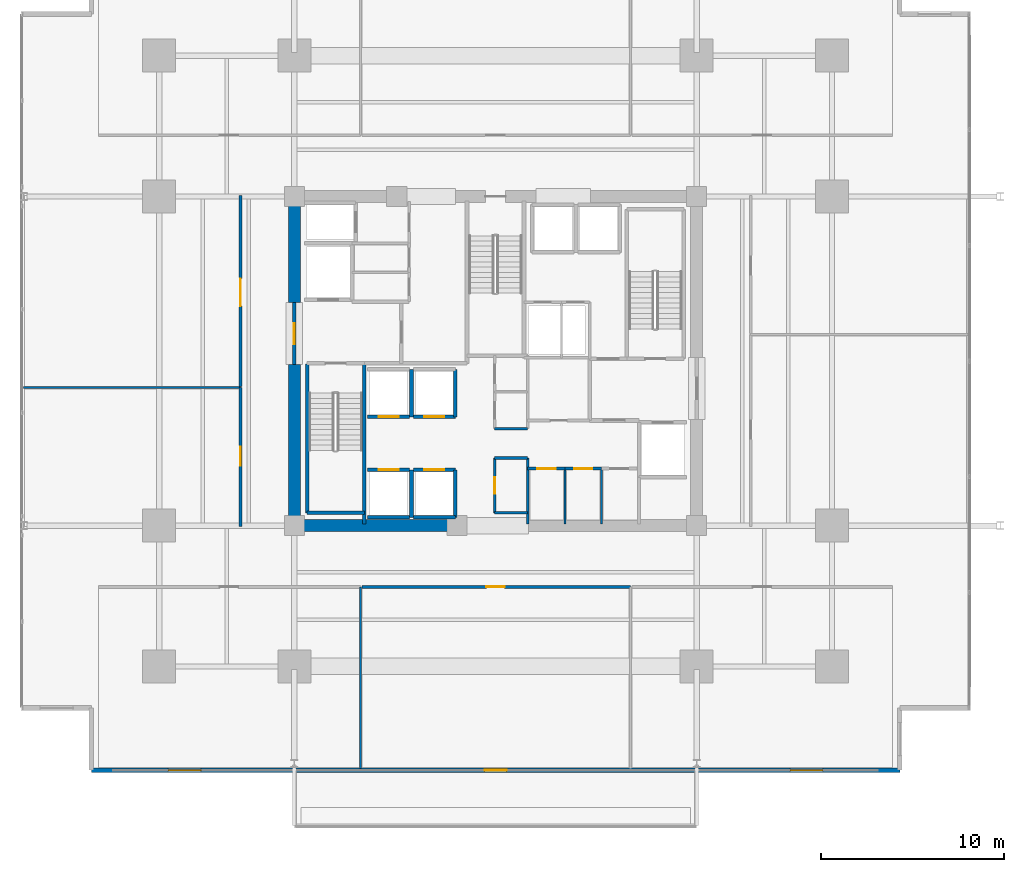
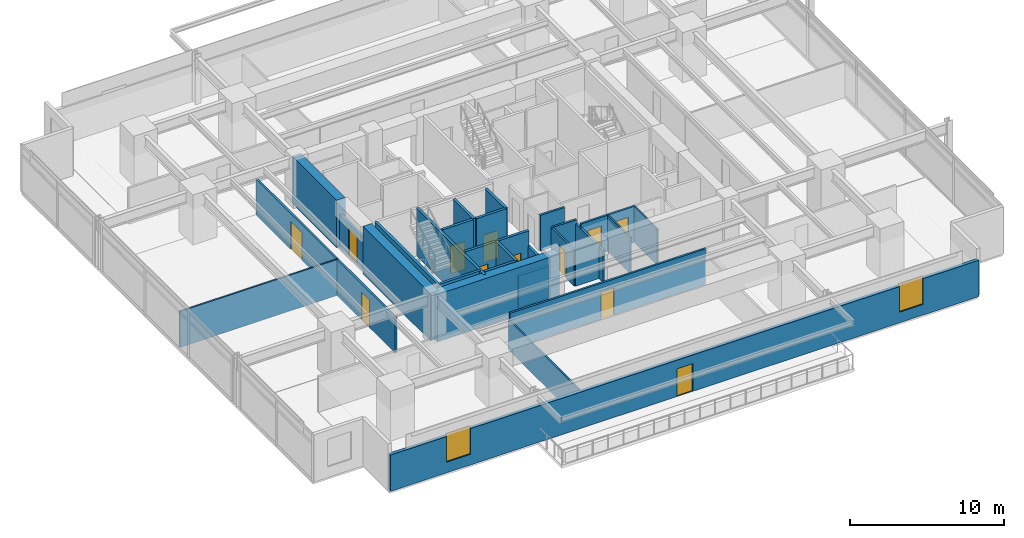
# One storey, part 15 of 23: 32 walls, 12 doors, 2 windows, 14 openings.
"""IFC4 building model written with IfcOpenShell, lengths in metres."""

import ifcopenshell
import ifcopenshell.guid

model = None  # the IFC model being written
_history = None  # IfcOwnerHistory: only IFC2X3 demands one
_inside = {}  # id of a spatial element -> (the spatial element, [elements in it])
_under = {}  # id of a project, library or spatial element -> (it, [spatial elements below it])
_declared = {}  # id of a project -> (the project, [libraries it declares])
_typed = {}  # id of a type object -> (the type object, [elements of that type])
_made_of = {}  # id of a material, layer set ... -> (it, [elements and type objects made of it])


def new_model(schema):
    """Start an empty IFC model of exactly this schema.

    Asked for "IFC4X3", IfcOpenShell would pick the latest addendum, in which some entities
    have other attributes; the version numbers below select the first issue.
    IFC2X3 requires an IfcOwnerHistory on every rooted entity: one is made here for all.
    """
    global model, _history
    if schema == "IFC4X3":
        model = ifcopenshell.file(schema_version=(4, 3, 0, 0))
    else:
        model = ifcopenshell.file(schema=schema)
    _inside.clear()
    _under.clear()
    _declared.clear()
    _typed.clear()
    _made_of.clear()
    _history = None
    if model.schema == "IFC2X3":
        org = make("IfcOrganization", Name="unknown")
        user = make(
            "IfcPersonAndOrganization",
            ThePerson=make("IfcPerson", FamilyName="unknown"),
            TheOrganization=org,
        )
        app = make(
            "IfcApplication",
            ApplicationDeveloper=org,
            Version="unknown",
            ApplicationFullName="unknown",
            ApplicationIdentifier="unknown",
        )
        _history = make(
            "IfcOwnerHistory",
            OwningUser=user,
            OwningApplication=app,
            ChangeAction="ADDED",
            CreationDate=0,
        )
    return model


def make(cls, **values):
    """One entity of the class cls with the attributes given. An attribute that is None is left unset."""
    return model.create_entity(
        cls, **{name: value for name, value in values.items() if value is not None}
    )


def rooted(cls, **values):
    """An entity with a GlobalId (a new one), such as an element, a storey or a relation."""
    return make(cls, GlobalId=ifcopenshell.guid.new(), OwnerHistory=_history, **values)


def si_unit(unit_type, name, prefix=None):
    """IfcSIUnit, for example si_unit("LENGTHUNIT", "METRE", prefix="MILLI")."""
    return make("IfcSIUnit", UnitType=unit_type, Prefix=prefix, Name=name)


def assignment(units):
    """IfcUnitAssignment: the units of a project."""
    return None if units is None else make("IfcUnitAssignment", Units=units)


def point(xyz):
    """IfcCartesianPoint."""
    return None if xyz is None else make("IfcCartesianPoint", Coordinates=xyz)


def direction(xyz):
    """IfcDirection."""
    return None if xyz is None else make("IfcDirection", DirectionRatios=xyz)


def frame(location, z_axis=None, x_axis=None):
    """IfcAxis2Placement3D, a coordinate frame: its origin and axes. An axis left out is left unset."""
    return make(
        "IfcAxis2Placement3D",
        Location=point(location),
        Axis=direction(z_axis),
        RefDirection=direction(x_axis),
    )


def frame_2d(location, x_axis=None):
    """IfcAxis2Placement2D, a coordinate frame in the plane: its origin and x axis."""
    return make(
        "IfcAxis2Placement2D", Location=point(location), RefDirection=direction(x_axis)
    )


def origin():
    """The frame at (0, 0, 0) with its axes left unset."""
    return frame((0.0, 0.0, 0.0))


def place(relative_to, where):
    """IfcLocalPlacement: puts the frame where relative to a parent placement (None: the world)."""
    return make(
        "IfcLocalPlacement", PlacementRelTo=relative_to, RelativePlacement=where
    )


def context(
    kind, dimensions, precision=None, world=None, true_north=None, identifier=None
):
    """IfcGeometricRepresentationContext, for example the 3D "Model" context."""
    return make(
        "IfcGeometricRepresentationContext",
        ContextIdentifier=identifier,
        ContextType=kind,
        CoordinateSpaceDimension=dimensions,
        Precision=precision,
        WorldCoordinateSystem=world,
        TrueNorth=true_north,
    )


def subcontext(parent, identifier, kind, view, scale=None):
    """IfcGeometricRepresentationSubContext, for example "Body" below "Model"."""
    return make(
        "IfcGeometricRepresentationSubContext",
        ContextIdentifier=identifier,
        ContextType=kind,
        ParentContext=parent,
        TargetScale=scale,
        TargetView=view,
    )


def project(units=None, contexts=None):
    """IfcProject with its units and contexts."""
    return rooted(
        "IfcProject",
        Name="project",
        RepresentationContexts=contexts,
        UnitsInContext=assignment(units),
    )


def spatial(cls, under=None, at=None, **own):
    """A site, building, storey or space (cls), placed at a placement, below another one or the project."""
    s = rooted(cls, ObjectPlacement=at, **own)
    if under is not None:
        _under.setdefault(under.id(), (under, []))[1].append(s)
    return s


def profile(cls, at=None, kind="AREA", **sizes):
    """A parametric profile (cls). Its sizes go by their IFC names, for example OverallWidth=200.0."""
    return make(cls, ProfileType=kind, Position=at, **sizes)


def rectangle(**sizes):
    """IfcRectangleProfileDef."""
    return profile("IfcRectangleProfileDef", **sizes)


def extrude(swept, where, along, depth):
    """IfcExtrudedAreaSolid: the profile swept, set in the frame where, extruded along a direction by depth."""
    return make(
        "IfcExtrudedAreaSolid",
        SweptArea=swept,
        Position=where,
        ExtrudedDirection=direction(along),
        Depth=depth,
    )


def shape(context_of_items, identifier, shape_type, items):
    """IfcShapeRepresentation: the items that make up one representation, for example the "Body"."""
    return make(
        "IfcShapeRepresentation",
        ContextOfItems=context_of_items,
        RepresentationIdentifier=identifier,
        RepresentationType=shape_type,
        Items=items,
    )


def material(Name=None, Category=None):
    """IfcMaterial."""
    return make("IfcMaterial", Name=Name, Category=Category)


def layer(
    of_material, thickness, ventilated=None, Name=None, Category=None, Priority=None
):
    """IfcMaterialLayer: one layer of a wall or slab, of a material (None: an air gap)."""
    return make(
        "IfcMaterialLayer",
        Material=of_material,
        LayerThickness=thickness,
        IsVentilated=ventilated,
        Name=Name,
        Category=Category,
        Priority=Priority,
    )


def layer_set(layers, Name=None):
    """IfcMaterialLayerSet."""
    return make("IfcMaterialLayerSet", MaterialLayers=layers, LayerSetName=Name)


def made_of(thing, what):
    """Note that an element or type object is made of a material, layer set ...; save() writes the relation."""
    if what is not None:
        _made_of.setdefault(what.id(), (what, []))[1].append(thing)
    return thing


def type_object(cls, material=None, **own):
    """A type object (cls), such as IfcWallType, which elements share."""
    return made_of(rooted(cls, **own), material)


def element(
    cls,
    number,
    at=None,
    inside=None,
    cuts=None,
    type_object=None,
    material=None,
    context=None,
    identifier="Body",
    shape_type=None,
    held_by="IfcProductDefinitionShape",
    body=None,
    shapes=None,
    **own,
):
    """One element of the class cls, such as IfcWall. Its Tag is "e" and its number.

    at: its placement. inside: the storey or other place that contains it. cuts: it is an
    opening in that element (IfcRelVoidsElement). A single representation is given by context,
    identifier, shape_type and body (its items); several are given by shapes. held_by: the class
    of the entity that holds the representations. save() writes the other relations.
    """
    e = rooted(cls, Tag="e%d" % number, ObjectPlacement=at, **own)
    if body is not None:
        shapes = [shape(context, identifier, shape_type, body)]
    if shapes is not None:
        e.Representation = make(held_by, Representations=shapes)
    if inside is not None:
        _inside.setdefault(inside.id(), (inside, []))[1].append(e)
    if cuts is not None:
        rooted(
            "IfcRelVoidsElement", RelatingBuildingElement=cuts, RelatedOpeningElement=e
        )
    if type_object is not None:
        _typed.setdefault(type_object.id(), (type_object, []))[1].append(e)
    return made_of(e, material)


def fill(opening, filler):
    """IfcRelFillsElement: the door or window that sits in an opening."""
    return rooted(
        "IfcRelFillsElement",
        RelatingOpeningElement=opening,
        RelatedBuildingElement=filler,
    )


def aggregate(whole, parts):
    """IfcRelAggregates: a whole, such as a stair, and the parts it consists of."""
    return rooted("IfcRelAggregates", RelatingObject=whole, RelatedObjects=parts)


def save(model, path):
    """Write the relations noted so far, then the file.

    IfcRelAggregates (storeys below a building ...), IfcRelContainedInSpatialStructure (elements
    in a storey), IfcRelDefinesByType, IfcRelAssociatesMaterial and IfcRelDeclares: one each for
    every whole, place, type object, material and project.
    """
    for whole, parts in _under.values():
        aggregate(whole, parts)
    for where, things in _inside.values():
        rooted(
            "IfcRelContainedInSpatialStructure",
            RelatedElements=things,
            RelatingStructure=where,
        )
    for kind, things in _typed.values():
        rooted("IfcRelDefinesByType", RelatedObjects=things, RelatingType=kind)
    for what, things in _made_of.values():
        rooted("IfcRelAssociatesMaterial", RelatedObjects=things, RelatingMaterial=what)
    for by, libraries in _declared.values():
        rooted("IfcRelDeclares", RelatingContext=by, RelatedDefinitions=libraries)
    model.write(path)


model = new_model("IFC4")

# Units and contexts
model_context = context("Model", 3, precision=1e-05, world=origin(), true_north=direction((0.0, 1.0)))
body_context = subcontext(model_context, "Body", "Model", "MODEL_VIEW")
ifc_project = project(units=[si_unit("LENGTHUNIT", "METRE"), si_unit("AREAUNIT", "SQUARE_METRE"), si_unit("VOLUMEUNIT", "CUBIC_METRE"), si_unit("PLANEANGLEUNIT", "RADIAN"), si_unit("MASSUNIT", "GRAM", prefix="KILO")], contexts=[model_context])

# Site, building, storey
site_placement = place(None, origin())
site = spatial("IfcSite", under=ifc_project, at=site_placement, CompositionType="ELEMENT")
building_placement = place(site_placement, origin())
building = spatial("IfcBuilding", under=site, at=building_placement, Name="Kovane Verandah Tower", CompositionType="ELEMENT")
storey_placement = place(building_placement, frame((0.0, 0.0, 63.60009765625)))
storey = spatial("IfcBuildingStorey", under=building, at=storey_placement, Name="L14", CompositionType="ELEMENT", Elevation=63.60009765625)

# Walls
ifc_material_1 = material(Name="Fire-Rated Gypsum Stud Partition", Category="gypsum")
ifc_layer_1 = layer(ifc_material_1, 0.14990234375)
ifc_layer_set_1 = layer_set([ifc_layer_1], Name="Fire-Rated Gypsum Stud Partition")
wall_type_1 = type_object("IfcWallType", Name="WL-COR-150", PredefinedType="PARTITIONING", material=ifc_layer_set_1)
for number, where, z_axis, x_axis, name in (
    (1, (39.949951171875, 19.199951171875, 0.0), (0.0, 0.0, 1.0), (1.0, 0.0, 0.0), "L14 Central Core Strip South Wall"),
    (2, (39.949951171875, 22.199951171875, 0.0), (0.0, 0.0, 1.0), (1.0, 0.0, 0.0), "L14 Core Cross-Passage South Wall"),
    (3, (39.949951171875, 23.800048828125, 0.0), (0.0, 0.0, 1.0), (1.0, 0.0, 0.0), "L14 Core Cross-Passage North Wall"),
):
    element("IfcWall", number, at=place(storey_placement, frame(where, z_axis=z_axis, x_axis=x_axis)), inside=storey, type_object=wall_type_1, Name=name, PredefinedType="PARTITIONING", context=body_context, shape_type="SweptSolid", body=[
        extrude(rectangle(XDim=1.81005859375, YDim=0.14990234375, at=frame_2d((0.905029296875, 0.0))), origin(), (0.0, 0.0, 1.0), 2.849853515625),
    ])
wall_1_placement = place(storey_placement, frame((41.760009765625, 18.60009765625, 0.0), z_axis=(0.0, 0.0, 1.0), x_axis=(0.0, 1.0, 0.0)))
element("IfcWall", 4, at=wall_1_placement, inside=storey, type_object=wall_type_1, Name="L14 Central Core Strip Lower East Wall", PredefinedType="PARTITIONING", context=body_context, shape_type="SweptSolid", body=[
    extrude(rectangle(XDim=3.599853515625, YDim=0.14990234375, at=frame_2d((1.7998046875, 0.0))), origin(), (0.0, 0.0, 1.0), 2.539794921875),
])

# Wall, opening, door
wall_2_placement = place(storey_placement, frame((39.949951171875, 19.199951171875, 0.0), z_axis=(0.0, 0.0, 1.0), x_axis=(0.0, 1.0, 0.0)))
wall_2 = element("IfcWall", 5, at=wall_2_placement, inside=storey, type_object=wall_type_1, Name="L14 Male Toilet Partition", PredefinedType="PARTITIONING", context=body_context, shape_type="SweptSolid", body=[
    extrude(rectangle(XDim=3.0, YDim=0.14990234375, at=frame_2d((1.5, 0.0))), origin(), (0.0, 0.0, 1.0), 2.849853515625),
])
opening_1_placement = place(wall_2_placement, frame((1.050048828125, 0.0, 0.0)))
opening_1 = element("IfcOpeningElement", 6, at=opening_1_placement, cuts=wall_2, Name="Opening DR-L14-030", PredefinedType="OPENING", context=body_context, shape_type="SweptSolid", body=[
    extrude(rectangle(XDim=0.89990234375, YDim=2.10009765625, at=frame_2d((0.449951171875, 1.050048828125))), frame((0.0, 0.074951171875, 0.0), z_axis=(0.0, -1.0, 0.0), x_axis=(1.0, 0.0, 0.0)), (0.0, 0.0, 1.0), 0.14990234375),
])
ifc_material_2 = material(Name="Moisture-Resistant Laminate Washroom Door", Category="wood")
door_type_1 = type_object("IfcDoorType", Name="DR-WC-900", OperationType="SINGLE_SWING_LEFT", PredefinedType="DOOR", material=ifc_material_2)
door_1_placement = place(opening_1_placement, origin())
door_1 = element("IfcDoor", 7, at=door_1_placement, inside=storey, type_object=door_type_1, Name="L14 Male Toilet Door", OperationType="SINGLE_SWING_LEFT", OverallHeight=2.10009765625, OverallWidth=0.89990234375, PredefinedType="DOOR", context=body_context, shape_type="SweptSolid", body=[
    extrude(rectangle(XDim=0.89990234375, YDim=2.10009765625, at=frame_2d((0.449951171875, 1.050048828125))), frame((0.0, 0.02490234375, 0.0), z_axis=(0.0, -1.0, 0.0), x_axis=(1.0, 0.0, 0.0)), (0.0, 0.0, 1.0), 0.050048828125),
])
fill(opening_1, door_1)

wall_3_placement = place(storey_placement, frame((41.760009765625, 21.6201171875, 0.0), z_axis=(0.0, 0.0, 1.0), x_axis=(1.0, 0.0, 0.0)))
wall_3 = element("IfcWall", 8, at=wall_3_placement, inside=storey, type_object=wall_type_1, Name="L14 Mail and Copy Room Partition", PredefinedType="PARTITIONING", context=body_context, shape_type="SweptSolid", body=[
    extrude(rectangle(XDim=2.0400390625, YDim=0.14990234375, at=frame_2d((1.02001953125, 0.0))), origin(), (0.0, 0.0, 1.0), 2.849853515625),
])
opening_2_placement = place(wall_3_placement, frame((0.52001953125, 0.0, 0.0)))
opening_2 = element("IfcOpeningElement", 9, at=opening_2_placement, cuts=wall_3, Name="Opening DR-L14-015", PredefinedType="OPENING", context=body_context, shape_type="SweptSolid", body=[
    extrude(rectangle(XDim=1.0, YDim=2.14990234375, at=frame_2d((0.5, 1.074951171875))), frame((0.0, 0.074951171875, 0.0), z_axis=(0.0, -1.0, 0.0), x_axis=(1.0, 0.0, 0.0)), (0.0, 0.0, 1.0), 0.14990234375),
])
ifc_material_3 = material(Name="FSC Spotted-Gum Timber Fire-Rated Office Door", Category="wood")
door_type_2 = type_object("IfcDoorType", Name="DR-OFF-1000", OperationType="SINGLE_SWING_LEFT", PredefinedType="DOOR", material=ifc_material_3)
door_2_placement = place(opening_2_placement, origin())
door_2 = element("IfcDoor", 10, at=door_2_placement, inside=storey, type_object=door_type_2, Name="L14 Mail and Copy Room Door", OperationType="SINGLE_SWING_LEFT", OverallHeight=2.14990234375, OverallWidth=1.0, PredefinedType="DOOR", context=body_context, shape_type="SweptSolid", body=[
    extrude(rectangle(XDim=1.0, YDim=2.14990234375, at=frame_2d((0.5, 1.074951171875))), frame((0.0, 0.02490234375, 0.0), z_axis=(0.0, -1.0, 0.0), x_axis=(1.0, 0.0, 0.0)), (0.0, 0.0, 1.0), 0.050048828125),
])
fill(opening_2, door_2)

wall_4_placement = place(storey_placement, frame((43.800048828125, 21.6201171875, 0.0), z_axis=(0.0, 0.0, 1.0), x_axis=(1.0, 0.0, 0.0)))
wall_4 = element("IfcWall", 11, at=wall_4_placement, inside=storey, type_object=wall_type_1, Name="L14 First Aid Room Partition", PredefinedType="PARTITIONING", context=body_context, shape_type="SweptSolid", body=[
    extrude(rectangle(XDim=2.0, YDim=0.14990234375, at=frame_2d((1.0, 0.0))), origin(), (0.0, 0.0, 1.0), 2.849853515625),
])
opening_3_placement = place(wall_4_placement, frame((0.5, 0.0, 0.0)))
opening_3 = element("IfcOpeningElement", 12, at=opening_3_placement, cuts=wall_4, Name="Opening DR-L14-016", PredefinedType="OPENING", context=body_context, shape_type="SweptSolid", body=[
    extrude(rectangle(XDim=1.0, YDim=2.14990234375, at=frame_2d((0.5, 1.074951171875))), frame((0.0, 0.074951171875, 0.0), z_axis=(0.0, -1.0, 0.0), x_axis=(1.0, 0.0, 0.0)), (0.0, 0.0, 1.0), 0.14990234375),
])
door_3_placement = place(opening_3_placement, origin())
door_3 = element("IfcDoor", 13, at=door_3_placement, inside=storey, type_object=door_type_2, Name="L14 First Aid Room Door", OperationType="SINGLE_SWING_RIGHT", OverallHeight=2.14990234375, OverallWidth=1.0, PredefinedType="DOOR", context=body_context, shape_type="SweptSolid", body=[
    extrude(rectangle(XDim=1.0, YDim=2.14990234375, at=frame_2d((0.5, 1.074951171875))), frame((0.0, 0.02490234375, 0.0), z_axis=(0.0, -1.0, 0.0), x_axis=(1.0, 0.0, 0.0)), (0.0, 0.0, 1.0), 0.050048828125),
])
fill(opening_3, door_3)

wall_5_placement = place(storey_placement, frame((32.689697265625, 15.14990234375, 0.0), z_axis=(0.0, 0.0, 1.0), x_axis=(1.0, 0.0, 0.0)))
wall_5 = element("IfcWall", 14, at=wall_5_placement, inside=storey, type_object=wall_type_1, Name="L14 Document and Print Room S2 Corridor Partition", PredefinedType="PARTITIONING", context=body_context, shape_type="SweptSolid", body=[
    extrude(rectangle(XDim=14.690673828125, YDim=0.14990234375, at=frame_2d((7.34521484375, 0.0))), origin(), (0.0, 0.0, 1.0), 2.849853515625),
])
opening_4_placement = place(wall_5_placement, frame((6.810302734375, 0.0, 0.0)))
opening_4 = element("IfcOpeningElement", 15, at=opening_4_placement, cuts=wall_5, Name="Opening DR-L14-025", PredefinedType="OPENING", context=body_context, shape_type="SweptSolid", body=[
    extrude(rectangle(XDim=1.0, YDim=2.14990234375, at=frame_2d((0.5, 1.074951171875))), frame((0.0, 0.074951171875, 0.0), z_axis=(0.0, -1.0, 0.0), x_axis=(1.0, 0.0, 0.0)), (0.0, 0.0, 1.0), 0.14990234375),
])
door_4_placement = place(opening_4_placement, origin())
door_4 = element("IfcDoor", 16, at=door_4_placement, inside=storey, type_object=door_type_2, Name="L14 Document and Print Room S2 Entrance Door", OperationType="SINGLE_SWING_LEFT", OverallHeight=2.14990234375, OverallWidth=1.0, PredefinedType="DOOR", context=body_context, shape_type="SweptSolid", body=[
    extrude(rectangle(XDim=1.0, YDim=2.14990234375, at=frame_2d((0.5, 1.074951171875))), frame((0.0, 0.02490234375, 0.0), z_axis=(0.0, -1.0, 0.0), x_axis=(1.0, 0.0, 0.0)), (0.0, 0.0, 1.0), 0.050048828125),
])
fill(opening_4, door_4)

wall_6_placement = place(storey_placement, frame((26.050048828125, 18.449951171875, 0.0), z_axis=(0.0, 0.0, 1.0), x_axis=(0.0, 1.0, 0.0)))
wall_6 = element("IfcWall", 17, at=wall_6_placement, inside=storey, type_object=wall_type_1, Name="L14 Executive Office W1 Corridor Partition", PredefinedType="PARTITIONING", context=body_context, shape_type="SweptSolid", body=[
    extrude(rectangle(XDim=7.60205078125, YDim=0.14990234375, at=frame_2d((3.801025390625, 0.0))), origin(), (0.0, 0.0, 1.0), 2.849853515625),
])
opening_5_placement = place(wall_6_placement, frame((3.31591796875, 0.0, 0.0)))
opening_5 = element("IfcOpeningElement", 18, at=opening_5_placement, cuts=wall_6, Name="Opening DR-L14-031", PredefinedType="OPENING", context=body_context, shape_type="SweptSolid", body=[
    extrude(rectangle(XDim=1.050048828125, YDim=2.199951171875, at=frame_2d((0.52490234375, 1.10009765625))), frame((0.0, 0.074951171875, 0.0), z_axis=(0.0, -1.0, 0.0), x_axis=(1.0, 0.0, 0.0)), (0.0, 0.0, 1.0), 0.14990234375),
])
ifc_material_4 = material(Name="FSC Blackbutt Timber Fire-Rated Executive Door", Category="wood")
door_type_3 = type_object("IfcDoorType", Name="DR-EXEC-1050", OperationType="SINGLE_SWING_LEFT", PredefinedType="DOOR", material=ifc_material_4)
door_5_placement = place(opening_5_placement, origin())
door_5 = element("IfcDoor", 19, at=door_5_placement, inside=storey, type_object=door_type_3, Name="L14 Executive Office W1 Entrance Door", OperationType="SINGLE_SWING_LEFT", OverallHeight=2.199951171875, OverallWidth=1.050048828125, PredefinedType="DOOR", context=body_context, shape_type="SweptSolid", body=[
    extrude(rectangle(XDim=1.050048828125, YDim=2.199951171875, at=frame_2d((0.52490234375, 1.10009765625))), frame((0.0, 0.02490234375, 0.0), z_axis=(0.0, -1.0, 0.0), x_axis=(1.0, 0.0, 0.0)), (0.0, 0.0, 1.0), 0.050048828125),
])
fill(opening_5, door_5)

wall_7_placement = place(storey_placement, frame((26.050048828125, 26.1220703125, 0.0), z_axis=(0.0, 0.0, 1.0), x_axis=(0.0, 1.0, 0.0)))
wall_7 = element("IfcWall", 20, at=wall_7_placement, inside=storey, type_object=wall_type_1, Name="L14 Client Boardroom W2 Corridor Partition", PredefinedType="PARTITIONING", context=body_context, shape_type="SweptSolid", body=[
    extrude(rectangle(XDim=10.427978515625, YDim=0.14990234375, at=frame_2d((5.2138671875, 0.0))), origin(), (0.0, 0.0, 1.0), 2.849853515625),
])
opening_6_placement = place(wall_7_placement, frame((4.388916015625, 0.0, 0.0)))
opening_6 = element("IfcOpeningElement", 21, at=opening_6_placement, cuts=wall_7, Name="Opening DR-L14-032", PredefinedType="OPENING", context=body_context, shape_type="SweptSolid", body=[
    extrude(rectangle(XDim=1.5, YDim=2.25, at=frame_2d((0.75, 1.125))), frame((0.0, 0.074951171875, 0.0), z_axis=(0.0, -1.0, 0.0), x_axis=(1.0, 0.0, 0.0)), (0.0, 0.0, 1.0), 0.14990234375),
])
ifc_material_5 = material(Name="Glazed Timber Fire-Rated Double Door", Category="wood")
door_type_4 = type_object("IfcDoorType", Name="DR-CONF-1500", OperationType="DOUBLE_DOOR_SINGLE_SWING", PredefinedType="DOOR", material=ifc_material_5)
door_6_placement = place(opening_6_placement, origin())
door_6 = element("IfcDoor", 22, at=door_6_placement, inside=storey, type_object=door_type_4, Name="L14 Client Boardroom W2 Entrance Door", OperationType="DOUBLE_DOOR_SINGLE_SWING", OverallHeight=2.25, OverallWidth=1.5, PredefinedType="DOOR", context=body_context, shape_type="SweptSolid", body=[
    extrude(rectangle(XDim=1.5, YDim=2.25, at=frame_2d((0.75, 1.125))), frame((0.0, 0.02490234375, 0.0), z_axis=(0.0, -1.0, 0.0), x_axis=(1.0, 0.0, 0.0)), (0.0, 0.0, 1.0), 0.050048828125),
])
fill(opening_6, door_6)

# Walls
ifc_material_6 = material(Name="Concrete C80/95", Category="concrete")
ifc_layer_2 = layer(ifc_material_6, 0.64990234375)
ifc_layer_set_2 = layer_set([ifc_layer_2], Name="Concrete C80/95")
wall_type_2 = type_object("IfcWallType", Name="WL-CORE-650", PredefinedType="SHEAR", material=ifc_layer_set_2)
wall_8_placement = place(storey_placement, frame((29.0, 18.5, 0.0), z_axis=(0.0, 0.0, 1.0), x_axis=(1.0, 0.0, 0.0)))
element("IfcWall", 23, at=wall_8_placement, inside=storey, type_object=wall_type_2, Name="L14 Core Shear Wall CS-1", PredefinedType="SHEAR", context=body_context, shape_type="SweptSolid", body=[
    extrude(rectangle(XDim=9.199951171875, YDim=0.64990234375, at=frame_2d((4.60009765625, 0.0))), origin(), (0.0, 0.0, 1.0), 3.760009765625),
])
wall_9_placement = place(storey_placement, frame((29.0, 18.5, 0.0), z_axis=(0.0, 0.0, 1.0), x_axis=(0.0, 1.0, 0.0)))
element("IfcWall", 24, at=wall_9_placement, inside=storey, type_object=wall_type_2, Name="L14 Core Shear Wall CW-1", PredefinedType="SHEAR", context=body_context, shape_type="SweptSolid", body=[
    extrude(rectangle(XDim=8.800048828125, YDim=0.64990234375, at=frame_2d((4.39990234375, 0.0))), origin(), (0.0, 0.0, 1.0), 3.760009765625),
])
wall_10_placement = place(storey_placement, frame((29.0, 30.699951171875, 0.0), z_axis=(0.0, 0.0, 1.0), x_axis=(0.0, 1.0, 0.0)))
element("IfcWall", 25, at=wall_10_placement, inside=storey, type_object=wall_type_2, Name="L14 Core Shear Wall CW-2", PredefinedType="SHEAR", context=body_context, shape_type="SweptSolid", body=[
    extrude(rectangle(XDim=5.800048828125, YDim=0.64990234375, at=frame_2d((2.89990234375, 0.0))), origin(), (0.0, 0.0, 1.0), 3.760009765625),
])

# Wall, opening, door
ifc_material_7 = material(Name="Concrete C45/55 Fire Wall", Category="concrete")
ifc_layer_3 = layer(ifc_material_7, 0.199951171875)
ifc_layer_set_3 = layer_set([ifc_layer_3], Name="Concrete C45/55 Fire Wall")
wall_type_3 = type_object("IfcWallType", Name="WL-FFL-200", PredefinedType="PARTITIONING", material=ifc_layer_set_3)
wall_11_placement = place(storey_placement, frame((29.0, 27.300048828125, 0.0), z_axis=(0.0, 0.0, 1.0), x_axis=(0.0, 1.0, 0.0)))
wall_11 = element("IfcWall", 26, at=wall_11_placement, inside=storey, type_object=wall_type_3, Name="W-L14-FFLW-OUT", PredefinedType="PARTITIONING", context=body_context, shape_type="SweptSolid", body=[
    extrude(rectangle(XDim=3.39990234375, YDim=0.199951171875, at=frame_2d((1.699951171875, 0.0))), origin(), (0.0, 0.0, 1.0), 2.539794921875),
])
opening_7_placement = place(wall_11_placement, frame((1.125, 0.0, 0.0)))
opening_7 = element("IfcOpeningElement", 27, at=opening_7_placement, cuts=wall_11, Name="Opening DR-L14-007", PredefinedType="OPENING", context=body_context, shape_type="SweptSolid", body=[
    extrude(rectangle(XDim=1.14990234375, YDim=2.199951171875, at=frame_2d((0.574951171875, 1.10009765625))), frame((0.0, 0.10009765625, 0.0), z_axis=(0.0, -1.0, 0.0), x_axis=(1.0, 0.0, 0.0)), (0.0, 0.0, 1.0), 0.199951171875),
])
ifc_material_8 = material(Name="Smoke-Sealed Firefighting Lobby Door", Category="steel")
door_type_5 = type_object("IfcDoorType", Name="DR-FFL-1150", OperationType="SINGLE_SWING_LEFT", PredefinedType="DOOR", material=ifc_material_8)
door_7_placement = place(opening_7_placement, origin())
door_7 = element("IfcDoor", 28, at=door_7_placement, inside=storey, type_object=door_type_5, Name="L14 West Firefighting Lobby Corridor Door", OperationType="SINGLE_SWING_RIGHT", OverallHeight=2.199951171875, OverallWidth=1.14990234375, PredefinedType="DOOR", context=body_context, shape_type="SweptSolid", body=[
    extrude(rectangle(XDim=1.14990234375, YDim=2.199951171875, at=frame_2d((0.574951171875, 1.10009765625))), frame((0.0, 0.02490234375, 0.0), z_axis=(0.0, -1.0, 0.0), x_axis=(1.0, 0.0, 0.0)), (0.0, 0.0, 1.0), 0.050048828125),
])
fill(opening_7, door_7)

# Wall
ifc_material_9 = material(Name="Concrete C45/55 Lift Shaft Wall", Category="concrete")
ifc_layer_4 = layer(ifc_material_9, 0.199951171875)
ifc_layer_set_4 = layer_set([ifc_layer_4], Name="Concrete C45/55 Lift Shaft Wall")
wall_type_4 = type_object("IfcWallType", Name="WL-LIFT-200", PredefinedType="SOLIDWALL", material=ifc_layer_set_4)
wall_12_placement = place(storey_placement, frame((33.0, 18.949951171875, 0.0), z_axis=(0.0, 0.0, 1.0), x_axis=(1.0, 0.0, 0.0)))
element("IfcWall", 29, at=wall_12_placement, inside=storey, type_object=wall_type_4, Name="L14 Lift PL-L1 S Shaft Wall", PredefinedType="SOLIDWALL", context=body_context, shape_type="SweptSolid", body=[
    extrude(rectangle(XDim=2.300048828125, YDim=0.199951171875, at=frame_2d((1.14990234375, 0.0))), origin(), (0.0, 0.0, 1.0), 3.760009765625),
])

# Wall, opening, door
wall_13_placement = place(storey_placement, frame((35.300048828125, 21.550048828125, 0.0), z_axis=(0.0, 0.0, 1.0), x_axis=(-1.0, 0.0, 0.0)))
wall_13 = element("IfcWall", 30, at=wall_13_placement, inside=storey, type_object=wall_type_4, Name="L14 Lift PL-L1 N Shaft Wall", PredefinedType="SOLIDWALL", context=body_context, shape_type="SweptSolid", body=[
    extrude(rectangle(XDim=2.300048828125, YDim=0.199951171875, at=frame_2d((1.14990234375, 0.0))), origin(), (0.0, 0.0, 1.0), 3.760009765625),
])
opening_8_placement = place(wall_13_placement, frame((0.60009765625, 0.0, 0.0)))
opening_8 = element("IfcOpeningElement", 31, at=opening_8_placement, cuts=wall_13, Name="Opening LD-L14-004", PredefinedType="OPENING", context=body_context, shape_type="SweptSolid", body=[
    extrude(rectangle(XDim=1.10009765625, YDim=2.199951171875, at=frame_2d((0.550048828125, 1.10009765625))), frame((0.0, 0.10009765625, 0.0), z_axis=(0.0, -1.0, 0.0), x_axis=(1.0, 0.0, 0.0)), (0.0, 0.0, 1.0), 0.199951171875),
])
ifc_material_10 = material(Name="Brushed Stainless Steel Sliding Lift Landing Door", Category="steel")
door_type_6 = type_object("IfcDoorType", Name="DR-LIFT-1100", OperationType="SLIDING_TO_RIGHT", PredefinedType="DOOR", material=ifc_material_10)
door_8_placement = place(opening_8_placement, origin())
door_8 = element("IfcDoor", 32, at=door_8_placement, inside=storey, type_object=door_type_6, Name="L14 Lift PL-L1 Sliding Landing Door", OperationType="SLIDING_TO_RIGHT", OverallHeight=2.199951171875, OverallWidth=1.10009765625, PredefinedType="DOOR", context=body_context, shape_type="SweptSolid", body=[
    extrude(rectangle(XDim=1.10009765625, YDim=2.199951171875, at=frame_2d((0.550048828125, 1.10009765625))), frame((0.0, 0.02490234375, 0.0), z_axis=(0.0, -1.0, 0.0), x_axis=(1.0, 0.0, 0.0)), (0.0, 0.0, 1.0), 0.050048828125),
])
fill(opening_8, door_8)

# Walls
wall_14_placement = place(storey_placement, frame((35.39990234375, 18.949951171875, 0.0), z_axis=(0.0, 0.0, 1.0), x_axis=(0.0, 1.0, 0.0)))
element("IfcWall", 33, at=wall_14_placement, inside=storey, type_object=wall_type_4, Name="L14 Lift PL-L1 and PL-L2 Shared Shaft Wall", PredefinedType="SOLIDWALL", context=body_context, shape_type="SweptSolid", body=[
    extrude(rectangle(XDim=2.60009765625, YDim=0.199951171875, at=frame_2d((1.300048828125, 0.0))), origin(), (0.0, 0.0, 1.0), 3.760009765625),
])
wall_15_placement = place(storey_placement, frame((35.5, 18.949951171875, 0.0), z_axis=(0.0, 0.0, 1.0), x_axis=(1.0, 0.0, 0.0)))
element("IfcWall", 34, at=wall_15_placement, inside=storey, type_object=wall_type_4, Name="L14 Lift PL-L2 S Shaft Wall", PredefinedType="SOLIDWALL", context=body_context, shape_type="SweptSolid", body=[
    extrude(rectangle(XDim=2.300048828125, YDim=0.199951171875, at=frame_2d((1.14990234375, 0.0))), origin(), (0.0, 0.0, 1.0), 2.539794921875),
])

# Wall, opening, door
wall_16_placement = place(storey_placement, frame((37.800048828125, 21.550048828125, 0.0), z_axis=(0.0, 0.0, 1.0), x_axis=(-1.0, 0.0, 0.0)))
wall_16 = element("IfcWall", 35, at=wall_16_placement, inside=storey, type_object=wall_type_4, Name="L14 Lift PL-L2 N Shaft Wall", PredefinedType="SOLIDWALL", context=body_context, shape_type="SweptSolid", body=[
    extrude(rectangle(XDim=2.300048828125, YDim=0.199951171875, at=frame_2d((1.14990234375, 0.0))), origin(), (0.0, 0.0, 1.0), 3.760009765625),
])
opening_9_placement = place(wall_16_placement, frame((0.60009765625, 0.0, 0.0)))
opening_9 = element("IfcOpeningElement", 36, at=opening_9_placement, cuts=wall_16, Name="Opening LD-L14-005", PredefinedType="OPENING", context=body_context, shape_type="SweptSolid", body=[
    extrude(rectangle(XDim=1.10009765625, YDim=2.199951171875, at=frame_2d((0.550048828125, 1.10009765625))), frame((0.0, 0.10009765625, 0.0), z_axis=(0.0, -1.0, 0.0), x_axis=(1.0, 0.0, 0.0)), (0.0, 0.0, 1.0), 0.199951171875),
])
door_9_placement = place(opening_9_placement, origin())
door_9 = element("IfcDoor", 37, at=door_9_placement, inside=storey, type_object=door_type_6, Name="L14 Lift PL-L2 Sliding Landing Door", OperationType="SLIDING_TO_RIGHT", OverallHeight=2.199951171875, OverallWidth=1.10009765625, PredefinedType="DOOR", context=body_context, shape_type="SweptSolid", body=[
    extrude(rectangle(XDim=1.10009765625, YDim=2.199951171875, at=frame_2d((0.550048828125, 1.10009765625))), frame((0.0, 0.02490234375, 0.0), z_axis=(0.0, -1.0, 0.0), x_axis=(1.0, 0.0, 0.0)), (0.0, 0.0, 1.0), 0.050048828125),
])
fill(opening_9, door_9)

# Wall
wall_17_placement = place(storey_placement, frame((37.800048828125, 18.949951171875, 0.0), z_axis=(0.0, 0.0, 1.0), x_axis=(0.0, 1.0, 0.0)))
element("IfcWall", 38, at=wall_17_placement, inside=storey, type_object=wall_type_4, Name="L14 Lift PL-L2 E Shaft Wall", PredefinedType="SOLIDWALL", context=body_context, shape_type="SweptSolid", body=[
    extrude(rectangle(XDim=2.60009765625, YDim=0.199951171875, at=frame_2d((1.300048828125, 0.0))), origin(), (0.0, 0.0, 1.0), 2.539794921875),
])

# Wall, opening, door
wall_18_placement = place(storey_placement, frame((33.0, 24.449951171875, 0.0), z_axis=(0.0, 0.0, 1.0), x_axis=(1.0, 0.0, 0.0)))
wall_18 = element("IfcWall", 39, at=wall_18_placement, inside=storey, type_object=wall_type_4, Name="L14 Lift PL-L3 S Shaft Wall", PredefinedType="SOLIDWALL", context=body_context, shape_type="SweptSolid", body=[
    extrude(rectangle(XDim=2.300048828125, YDim=0.199951171875, at=frame_2d((1.14990234375, 0.0))), origin(), (0.0, 0.0, 1.0), 3.760009765625),
])
opening_10_placement = place(wall_18_placement, frame((0.60009765625, 0.0, 0.0)))
opening_10 = element("IfcOpeningElement", 40, at=opening_10_placement, cuts=wall_18, Name="Opening LD-L14-006", PredefinedType="OPENING", context=body_context, shape_type="SweptSolid", body=[
    extrude(rectangle(XDim=1.10009765625, YDim=2.199951171875, at=frame_2d((0.550048828125, 1.10009765625))), frame((0.0, 0.10009765625, 0.0), z_axis=(0.0, -1.0, 0.0), x_axis=(1.0, 0.0, 0.0)), (0.0, 0.0, 1.0), 0.199951171875),
])
door_10_placement = place(opening_10_placement, origin())
door_10 = element("IfcDoor", 41, at=door_10_placement, inside=storey, type_object=door_type_6, Name="L14 Lift PL-L3 Sliding Landing Door", OperationType="SLIDING_TO_RIGHT", OverallHeight=2.199951171875, OverallWidth=1.10009765625, PredefinedType="DOOR", context=body_context, shape_type="SweptSolid", body=[
    extrude(rectangle(XDim=1.10009765625, YDim=2.199951171875, at=frame_2d((0.550048828125, 1.10009765625))), frame((0.0, 0.02490234375, 0.0), z_axis=(0.0, -1.0, 0.0), x_axis=(1.0, 0.0, 0.0)), (0.0, 0.0, 1.0), 0.050048828125),
])
fill(opening_10, door_10)

# Wall
wall_19_placement = place(storey_placement, frame((35.39990234375, 24.449951171875, 0.0), z_axis=(0.0, 0.0, 1.0), x_axis=(0.0, 1.0, 0.0)))
element("IfcWall", 42, at=wall_19_placement, inside=storey, type_object=wall_type_4, Name="L14 Lift PL-L3 and PL-L4 Shared Shaft Wall", PredefinedType="SOLIDWALL", context=body_context, shape_type="SweptSolid", body=[
    extrude(rectangle(XDim=2.60009765625, YDim=0.199951171875, at=frame_2d((1.300048828125, 0.0))), origin(), (0.0, 0.0, 1.0), 3.760009765625),
])

# Wall, opening, door
wall_20_placement = place(storey_placement, frame((35.5, 24.449951171875, 0.0), z_axis=(0.0, 0.0, 1.0), x_axis=(1.0, 0.0, 0.0)))
wall_20 = element("IfcWall", 43, at=wall_20_placement, inside=storey, type_object=wall_type_4, Name="L14 Lift PL-L4 S Shaft Wall", PredefinedType="SOLIDWALL", context=body_context, shape_type="SweptSolid", body=[
    extrude(rectangle(XDim=2.300048828125, YDim=0.199951171875, at=frame_2d((1.14990234375, 0.0))), origin(), (0.0, 0.0, 1.0), 3.760009765625),
])
opening_11_placement = place(wall_20_placement, frame((0.60009765625, 0.0, 0.0)))
opening_11 = element("IfcOpeningElement", 44, at=opening_11_placement, cuts=wall_20, Name="Opening LD-L14-007", PredefinedType="OPENING", context=body_context, shape_type="SweptSolid", body=[
    extrude(rectangle(XDim=1.10009765625, YDim=2.199951171875, at=frame_2d((0.550048828125, 1.10009765625))), frame((0.0, 0.10009765625, 0.0), z_axis=(0.0, -1.0, 0.0), x_axis=(1.0, 0.0, 0.0)), (0.0, 0.0, 1.0), 0.199951171875),
])
door_11_placement = place(opening_11_placement, origin())
door_11 = element("IfcDoor", 45, at=door_11_placement, inside=storey, type_object=door_type_6, Name="L14 Lift PL-L4 Sliding Landing Door", OperationType="SLIDING_TO_RIGHT", OverallHeight=2.199951171875, OverallWidth=1.10009765625, PredefinedType="DOOR", context=body_context, shape_type="SweptSolid", body=[
    extrude(rectangle(XDim=1.10009765625, YDim=2.199951171875, at=frame_2d((0.550048828125, 1.10009765625))), frame((0.0, 0.02490234375, 0.0), z_axis=(0.0, -1.0, 0.0), x_axis=(1.0, 0.0, 0.0)), (0.0, 0.0, 1.0), 0.050048828125),
])
fill(opening_11, door_11)

# Walls
wall_21_placement = place(storey_placement, frame((37.800048828125, 24.449951171875, 0.0), z_axis=(0.0, 0.0, 1.0), x_axis=(0.0, 1.0, 0.0)))
element("IfcWall", 46, at=wall_21_placement, inside=storey, type_object=wall_type_4, Name="L14 Lift PL-L4 E Shaft Wall", PredefinedType="SOLIDWALL", context=body_context, shape_type="SweptSolid", body=[
    extrude(rectangle(XDim=2.60009765625, YDim=0.199951171875, at=frame_2d((1.300048828125, 0.0))), origin(), (0.0, 0.0, 1.0), 3.760009765625),
])
ifc_material_11 = material(Name="Acoustic Fire-Rated Gypsum Partition", Category="gypsum")
ifc_layer_5 = layer(ifc_material_11, 0.1201171875)
ifc_layer_set_5 = layer_set([ifc_layer_5], Name="Acoustic Fire-Rated Gypsum Partition")
wall_type_5 = type_object("IfcWallType", Name="WL-PART-120", PredefinedType="PARTITIONING", material=ifc_layer_set_5)
for number, where, z_axis, x_axis, name in (
    (47, (43.800048828125, 18.60009765625, 0.0), (0.0, 0.0, 1.0), (0.0, 1.0, 0.0), "L14 East Core Support Dividing Partition 1"),
    (48, (45.800048828125, 18.60009765625, 0.0), (0.0, 0.0, 1.0), (0.0, 1.0, 0.0), "L14 East Core Support Dividing Partition 2"),
):
    element("IfcWall", number, at=place(storey_placement, frame(where, z_axis=z_axis, x_axis=x_axis)), inside=storey, type_object=wall_type_5, Name=name, PredefinedType="PARTITIONING", context=body_context, shape_type="SweptSolid", body=[
        extrude(rectangle(XDim=3.02001953125, YDim=0.1201171875, at=frame_2d((1.510009765625, 0.0))), origin(), (0.0, 0.0, 1.0), 2.849853515625),
    ])
wall_22_placement = place(storey_placement, frame((32.61962890625, 5.22509765625, 0.0), z_axis=(0.0, 0.0, 1.0), x_axis=(0.0, 1.0, 0.0)))
element("IfcWall", 49, at=wall_22_placement, inside=storey, type_object=wall_type_5, Name="L14 Collaboration Hub S1 Dividing Partition", PredefinedType="PARTITIONING", context=body_context, shape_type="SweptSolid", body=[
    extrude(rectangle(XDim=9.9248046875, YDim=0.1201171875, at=frame_2d((4.96240234375, 0.0))), origin(), (0.0, 0.0, 1.0), 2.389892578125),
])
wall_23_placement = place(storey_placement, frame((14.19287109375, 26.052001953125, 0.0), z_axis=(0.0, 0.0, 1.0), x_axis=(1.0, 0.0, 0.0)))
element("IfcWall", 50, at=wall_23_placement, inside=storey, type_object=wall_type_5, Name="L14 Executive Office W1 Dividing Partition", PredefinedType="PARTITIONING", context=body_context, shape_type="SweptSolid", body=[
    extrude(rectangle(XDim=11.857177734375, YDim=0.1201171875, at=frame_2d((5.9287109375, 0.0))), origin(), (0.0, 0.0, 1.0), 2.849853515625),
])
ifc_material_12 = material(Name="Concrete C45/55", Category="concrete")
ifc_layer_6 = layer(ifc_material_12, 0.199951171875)
ifc_layer_set_6 = layer_set([ifc_layer_6], Name="Concrete C45/55")
wall_type_6 = type_object("IfcWallType", Name="WL-SHAFT-200", PredefinedType="SOLIDWALL", material=ifc_layer_set_6)
wall_24_placement = place(storey_placement, frame((29.699951171875, 19.199951171875, 0.0), z_axis=(0.0, 0.0, 1.0), x_axis=(0.0, 1.0, 0.0)))
element("IfcWall", 51, at=wall_24_placement, inside=storey, type_object=wall_type_6, Name="W-L14-ST01-W", PredefinedType="SOLIDWALL", context=body_context, shape_type="SweptSolid", body=[
    extrude(rectangle(XDim=8.150146484375, YDim=0.199951171875, at=frame_2d((4.0751953125, 0.0))), origin(), (0.0, 0.0, 1.0), 3.760009765625),
])
wall_25_placement = place(storey_placement, frame((29.699951171875, 19.199951171875, 0.0), z_axis=(0.0, 0.0, 1.0), x_axis=(1.0, 0.0, 0.0)))
element("IfcWall", 52, at=wall_25_placement, inside=storey, type_object=wall_type_6, Name="W-L14-ST01-S", PredefinedType="SOLIDWALL", context=body_context, shape_type="SweptSolid", body=[
    extrude(rectangle(XDim=3.1201171875, YDim=0.199951171875, at=frame_2d((1.56005859375, 0.0))), origin(), (0.0, 0.0, 1.0), 3.760009765625),
])
wall_26_placement = place(storey_placement, frame((32.820068359375, 18.60009765625, 0.0), z_axis=(0.0, 0.0, 1.0), x_axis=(0.0, 1.0, 0.0)))
element("IfcWall", 53, at=wall_26_placement, inside=storey, type_object=wall_type_6, Name="W-L14-ST01-E", PredefinedType="SOLIDWALL", context=body_context, shape_type="SweptSolid", body=[
    extrude(rectangle(XDim=8.77978515625, YDim=0.199951171875, at=frame_2d((4.389892578125, 0.0))), origin(), (0.0, 0.0, 1.0), 3.760009765625),
])

# Wall, openings, door, windows
ifc_material_13 = material(Name="Concrete C45/55 Insulated Spandrel Wall", Category="concrete")
ifc_layer_7 = layer(ifc_material_13, 0.260009765625)
ifc_layer_set_7 = layer_set([ifc_layer_7], Name="Concrete C45/55 Insulated Spandrel Wall")
wall_type_7 = type_object("IfcWallType", Name="WL-SPANDREL-260", PredefinedType="PARAPET", material=ifc_layer_set_7)
wall_27_placement = place(storey_placement, frame((17.892822265625, 5.125, 0.0), z_axis=(0.0, 0.0, 1.0), x_axis=(1.0, 0.0, 0.0)))
wall_27 = element("IfcWall", 54, at=wall_27_placement, inside=storey, type_object=wall_type_7, Name="L14 S Verandah Access Facade Wall", PredefinedType="PARAPET", context=body_context, shape_type="SweptSolid", body=[
    extrude(rectangle(XDim=44.21435546875, YDim=0.260009765625, at=frame_2d((22.107177734375, 0.0))), origin(), (0.0, 0.0, 1.0), 2.88916015625),
])
opening_12_placement = place(wall_27_placement, frame((4.199951171875, 0.0, 0.85009765625)))
opening_12 = element("IfcOpeningElement", 55, at=opening_12_placement, cuts=wall_27, Name="Opening W-03", PredefinedType="OPENING", context=body_context, shape_type="SweptSolid", body=[
    extrude(rectangle(XDim=1.800048828125, YDim=2.199951171875, at=frame_2d((0.89990234375, 1.10009765625))), frame((0.0, 0.1298828125, 0.0), z_axis=(0.0, -1.0, 0.0), x_axis=(1.0, 0.0, 0.0)), (0.0, 0.0, 1.0), 0.260009765625),
])
opening_13_placement = place(wall_27_placement, frame((21.507080078125, 0.0, 0.0)))
opening_13 = element("IfcOpeningElement", 56, at=opening_13_placement, cuts=wall_27, Name="Opening DR-L14-002", PredefinedType="OPENING", context=body_context, shape_type="SweptSolid", body=[
    extrude(rectangle(XDim=1.199951171875, YDim=2.199951171875, at=frame_2d((0.60009765625, 1.10009765625))), frame((0.0, 0.1298828125, 0.0), z_axis=(0.0, -1.0, 0.0), x_axis=(1.0, 0.0, 0.0)), (0.0, 0.0, 1.0), 0.260009765625),
])
opening_14_placement = place(wall_27_placement, frame((38.214111328125, 0.0, 0.85009765625)))
opening_14 = element("IfcOpeningElement", 57, at=opening_14_placement, cuts=wall_27, Name="Opening W-03", PredefinedType="OPENING", context=body_context, shape_type="SweptSolid", body=[
    extrude(rectangle(XDim=1.800048828125, YDim=2.199951171875, at=frame_2d((0.89990234375, 1.10009765625))), frame((0.0, 0.1298828125, 0.0), z_axis=(0.0, -1.0, 0.0), x_axis=(1.0, 0.0, 0.0)), (0.0, 0.0, 1.0), 0.260009765625),
])
ifc_material_14 = material(Name="Cyclone-Rated Glazed Balcony Leaf Door", Category="aluminium")
door_type_7 = type_object("IfcDoorType", Name="DR-BAL-1200x2200", OperationType="SINGLE_SWING_LEFT", PredefinedType="DOOR", material=ifc_material_14)
door_12_placement = place(opening_13_placement, origin())
door_12 = element("IfcDoor", 58, at=door_12_placement, inside=storey, type_object=door_type_7, Name="L14 S Planted Balcony Access Door", OperationType="SINGLE_SWING_LEFT", OverallHeight=2.199951171875, OverallWidth=1.199951171875, PredefinedType="DOOR", context=body_context, shape_type="SweptSolid", body=[
    extrude(rectangle(XDim=1.199951171875, YDim=2.199951171875, at=frame_2d((0.60009765625, 1.10009765625))), frame((0.0, 0.02490234375, 0.0), z_axis=(0.0, -1.0, 0.0), x_axis=(1.0, 0.0, 0.0)), (0.0, 0.0, 1.0), 0.050048828125),
])
fill(opening_13, door_12)
ifc_material_15 = material(Name="Clear Low-E Laminated Double Glazing in Anodised Frame", Category="glass")
window_type = type_object("IfcWindowType", Name="WN-NOTCH-1800x2200", PartitioningType="SINGLE_PANEL", PredefinedType="WINDOW", material=ifc_material_15)
window_1_placement = place(opening_12_placement, origin())
window_1 = element("IfcWindow", 59, at=window_1_placement, inside=storey, type_object=window_type, Name="L14 S Verandah View Window 1", OverallHeight=2.199951171875, OverallWidth=1.800048828125, PartitioningType="SINGLE_PANEL", PredefinedType="WINDOW", context=body_context, shape_type="SweptSolid", body=[
    extrude(rectangle(XDim=1.800048828125, YDim=2.199951171875, at=frame_2d((0.89990234375, 1.10009765625))), frame((0.0, 0.030029296875, 0.0), z_axis=(0.0, -1.0, 0.0), x_axis=(1.0, 0.0, 0.0)), (0.0, 0.0, 1.0), 0.06005859375),
])
fill(opening_12, window_1)
window_2_placement = place(opening_14_placement, origin())
window_2 = element("IfcWindow", 60, at=window_2_placement, inside=storey, type_object=window_type, Name="L14 S Verandah View Window 2", OverallHeight=2.199951171875, OverallWidth=1.800048828125, PartitioningType="SINGLE_PANEL", PredefinedType="WINDOW", context=body_context, shape_type="SweptSolid", body=[
    extrude(rectangle(XDim=1.800048828125, YDim=2.199951171875, at=frame_2d((0.89990234375, 1.10009765625))), frame((0.0, 0.030029296875, 0.0), z_axis=(0.0, -1.0, 0.0), x_axis=(1.0, 0.0, 0.0)), (0.0, 0.0, 1.0), 0.06005859375),
])
fill(opening_14, window_2)

save(model, "model.ifc")
